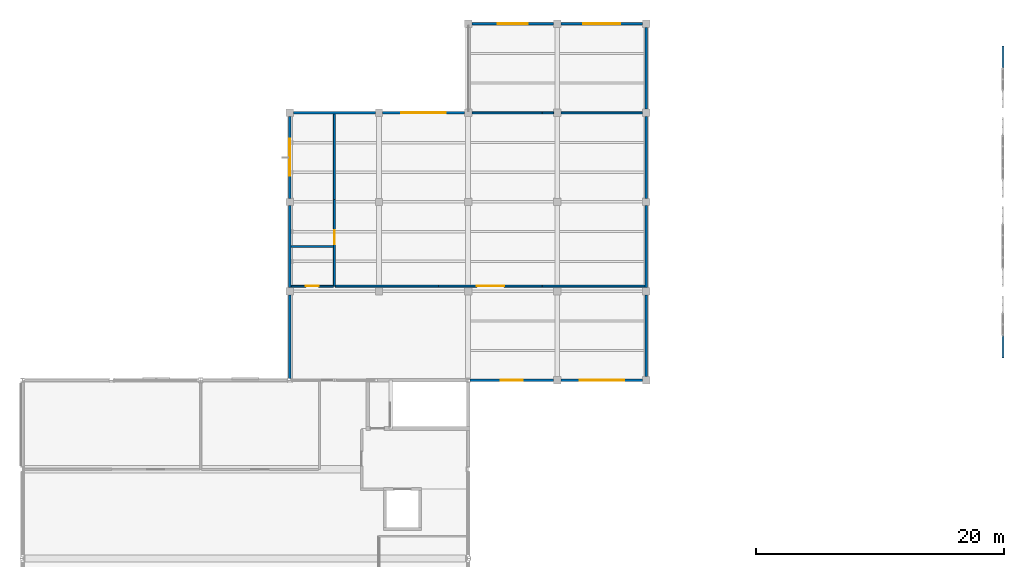
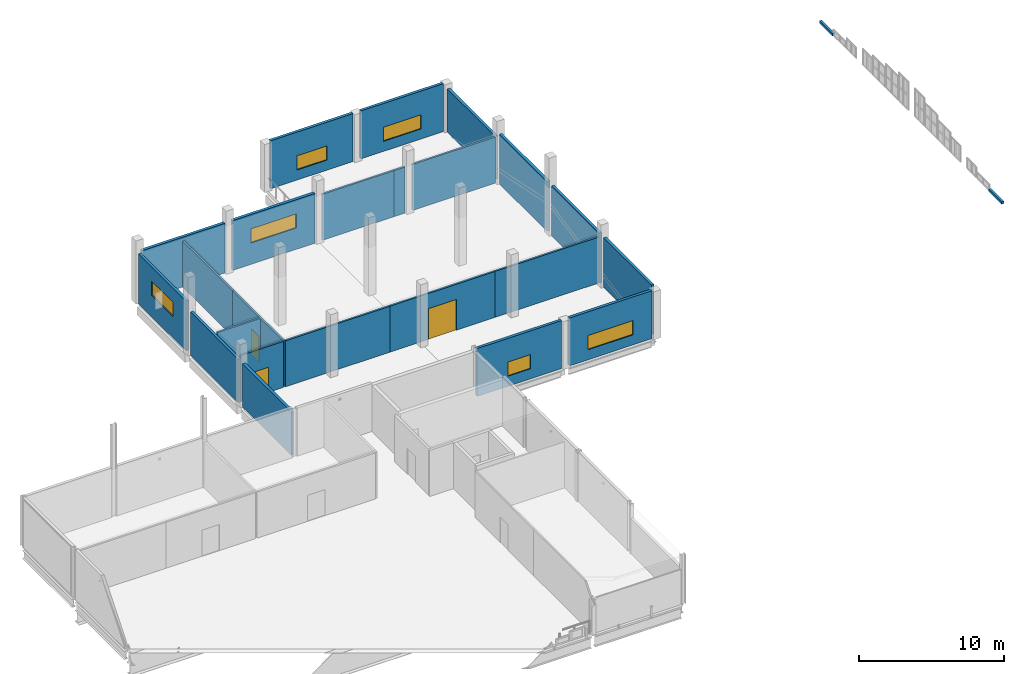
# One storey, part 19 of 20: 25 walls, 6 windows, 3 doors, 9 openings.
"""IFC4 building model written with IfcOpenShell, lengths in metres."""

from ifc_helpers import new_model, si_unit, direction, frame, frame_2d, origin, place, context, subcontext, project, spatial, rectangle, extrude, material, layer, layer_set, type_object, element, fill, save


model = new_model("IFC4")

# Units and contexts
model_context = context("Model", 3, precision=1e-05, world=origin(), true_north=direction((0.0, 1.0)))
body_context = subcontext(model_context, "Body", "Model", "MODEL_VIEW")
ifc_project = project(units=[si_unit("LENGTHUNIT", "METRE"), si_unit("AREAUNIT", "SQUARE_METRE"), si_unit("VOLUMEUNIT", "CUBIC_METRE"), si_unit("PLANEANGLEUNIT", "RADIAN"), si_unit("MASSUNIT", "GRAM", prefix="KILO"), si_unit("THERMODYNAMICTEMPERATUREUNIT", "KELVIN"), si_unit("POWERUNIT", "WATT")], contexts=[model_context])

# Site, building, storey
site_placement = place(None, origin())
site = spatial("IfcSite", under=ifc_project, at=site_placement, CompositionType="ELEMENT")
building_placement = place(site_placement, origin())
building = spatial("IfcBuilding", under=site, at=building_placement, Name="Kaldorven Railside Theatre", CompositionType="ELEMENT")
storey_placement = place(building_placement, frame((0.0, 0.0, 23.10009765625)))
storey = spatial("IfcBuildingStorey", under=building, at=storey_placement, Name="L05", CompositionType="ELEMENT", Elevation=23.10009765625)

# Walls
ifc_material_1 = material(Name="Precast concrete C40/50", Category="concrete")
ifc_layer_1 = layer(ifc_material_1, 0.219970703125, Name="Precast concrete C40/50")
ifc_layer_set_1 = layer_set([ifc_layer_1], Name="Precast concrete C40/50")
wall_type_1 = type_object("IfcWallType", Name="WL-EW07", PredefinedType="SOLIDWALL", material=ifc_layer_set_1)
wall_1_placement = place(storey_placement, frame((108.800048828125, 112.949951171875, 0.0), z_axis=(0.0, 0.0, 1.0), x_axis=(0.0, 1.0, 0.0)))
element("IfcWall", 1, at=wall_1_placement, inside=storey, type_object=wall_type_1, Name="V6L L05 Exterior Wall EW-0366", PredefinedType="SOLIDWALL", context=body_context, shape_type="SweptSolid", body=[
    extrude(rectangle(XDim=6.75, YDim=0.219970703125, at=frame_2d((3.375, 0.0))), origin(), (0.0, 0.0, 1.0), 3.65625),
])
wall_2_placement = place(storey_placement, frame((108.800048828125, 120.300048828125, 0.0), z_axis=(0.0, 0.0, 1.0), x_axis=(0.0, 1.0, 0.0)))
element("IfcWall", 2, at=wall_2_placement, inside=storey, type_object=wall_type_1, Name="V6L L05 Exterior Wall EW-0367", PredefinedType="SOLIDWALL", context=body_context, shape_type="SweptSolid", body=[
    extrude(rectangle(XDim=6.599853515625, YDim=0.219970703125, at=frame_2d((3.2998046875, 0.0))), origin(), (0.0, 0.0, 1.0), 3.65625),
])

# Wall, opening, window
wall_3_placement = place(storey_placement, frame((108.800048828125, 127.5, 0.0), z_axis=(0.0, 0.0, 1.0), x_axis=(0.0, 1.0, 0.0)))
wall_3 = element("IfcWall", 3, at=wall_3_placement, inside=storey, type_object=wall_type_1, Name="V6L L05 Exterior Wall EW-0368", PredefinedType="SOLIDWALL", context=body_context, shape_type="SweptSolid", body=[
    extrude(rectangle(XDim=6.60009765625, YDim=0.219970703125, at=frame_2d((3.300048828125, 0.0))), origin(), (0.0, 0.0, 1.0), 4.199951171875),
])
opening_1_placement = place(wall_3_placement, frame((1.800048828125, 0.0, 1.800048828125)))
opening_1 = element("IfcOpeningElement", 4, at=opening_1_placement, cuts=wall_3, Name="Opening WN-066", PredefinedType="OPENING", context=body_context, shape_type="SweptSolid", body=[
    extrude(rectangle(XDim=3.0, YDim=1.199951171875, at=frame_2d((1.5, 0.60009765625))), frame((0.0, 0.1201171875, 0.0), z_axis=(0.0, -1.0, 0.0), x_axis=(1.0, 0.0, 0.0)), (0.0, 0.0, 1.0), 0.239990234375),
])
ifc_material_2 = material(Name="Low-E laminated solar-control glass", Category="glass")
window_type_1 = type_object("IfcWindowType", Name="WN-EW16", PartitioningType="SINGLE_PANEL", PredefinedType="WINDOW", material=ifc_material_2)
window_1_placement = place(opening_1_placement, origin())
window_1 = element("IfcWindow", 5, at=window_1_placement, inside=storey, type_object=window_type_1, Name="Shaded Acoustic Exterior Window WN-066", OverallHeight=1.199951171875, OverallWidth=3.0, PartitioningType="SINGLE_PANEL", PredefinedType="WINDOW", context=body_context, shape_type="SweptSolid", body=[
    extrude(rectangle(XDim=3.0, YDim=1.199951171875, at=frame_2d((1.5, 0.60009765625))), frame((0.0, 0.030029296875, 0.0), z_axis=(0.0, -1.0, 0.0), x_axis=(1.0, 0.0, 0.0)), (0.0, 0.0, 1.0), 0.06005859375),
])
fill(opening_1, window_1)

# Wall
wall_4_placement = place(storey_placement, frame((109.10009765625, 134.39990234375, 0.0), z_axis=(0.0, 0.0, 1.0), x_axis=(1.0, 0.0, 0.0)))
element("IfcWall", 6, at=wall_4_placement, inside=storey, type_object=wall_type_1, Name="V6L L05 Exterior Wall EW-0369", PredefinedType="SOLIDWALL", context=body_context, shape_type="SweptSolid", body=[
    extrude(rectangle(XDim=6.599853515625, YDim=0.219970703125, at=frame_2d((3.2998046875, 0.0))), origin(), (0.0, 0.0, 1.0), 4.199951171875),
])

# Wall, opening, window
wall_5_placement = place(storey_placement, frame((116.300048828125, 134.39990234375, 0.0), z_axis=(0.0, 0.0, 1.0), x_axis=(1.0, 0.0, 0.0)))
wall_5 = element("IfcWall", 7, at=wall_5_placement, inside=storey, type_object=wall_type_1, Name="V6L L05 Exterior Wall EW-0370", PredefinedType="SOLIDWALL", context=body_context, shape_type="SweptSolid", body=[
    extrude(rectangle(XDim=6.599853515625, YDim=0.219970703125, at=frame_2d((3.2998046875, 0.0))), origin(), (0.0, 0.0, 1.0), 4.199951171875),
])
opening_2_placement = place(wall_5_placement, frame((1.5, 0.0, 1.800048828125)))
opening_2 = element("IfcOpeningElement", 8, at=opening_2_placement, cuts=wall_5, Name="Opening WN-067", PredefinedType="OPENING", context=body_context, shape_type="SweptSolid", body=[
    extrude(rectangle(XDim=3.60009765625, YDim=1.199951171875, at=frame_2d((1.800048828125, 0.60009765625))), frame((0.0, 0.1201171875, 0.0), z_axis=(0.0, -1.0, 0.0), x_axis=(1.0, 0.0, 0.0)), (0.0, 0.0, 1.0), 0.239990234375),
])
window_type_2 = type_object("IfcWindowType", Name="WN-EW17", PartitioningType="SINGLE_PANEL", PredefinedType="WINDOW", material=ifc_material_2)
window_2_placement = place(opening_2_placement, origin())
window_2 = element("IfcWindow", 9, at=window_2_placement, inside=storey, type_object=window_type_2, Name="Shaded Acoustic Exterior Window WN-067", OverallHeight=1.199951171875, OverallWidth=3.60009765625, PartitioningType="SINGLE_PANEL", PredefinedType="WINDOW", context=body_context, shape_type="SweptSolid", body=[
    extrude(rectangle(XDim=3.60009765625, YDim=1.199951171875, at=frame_2d((1.800048828125, 0.60009765625))), frame((0.0, 0.030029296875, 0.0), z_axis=(0.0, -1.0, 0.0), x_axis=(1.0, 0.0, 0.0)), (0.0, 0.0, 1.0), 0.06005859375),
])
fill(opening_2, window_2)

wall_6_placement = place(storey_placement, frame((137.300048828125, 112.800048828125, 0.0), z_axis=(0.0, 0.0, 1.0), x_axis=(-1.0, 0.0, 0.0)))
wall_6 = element("IfcWall", 10, at=wall_6_placement, inside=storey, type_object=wall_type_1, Name="V6 L05 Exterior Wall EW-0462", PredefinedType="SOLIDWALL", context=body_context, shape_type="SweptSolid", body=[
    extrude(rectangle(XDim=6.60009765625, YDim=0.219970703125, at=frame_2d((3.300048828125, 0.0))), origin(), (0.0, 0.0, 1.0), 4.04638671875),
])
opening_3_placement = place(wall_6_placement, frame((1.5, 0.0, 0.85009765625)))
opening_3 = element("IfcOpeningElement", 11, at=opening_3_placement, cuts=wall_6, Name="Opening WN-128", PredefinedType="OPENING", context=body_context, shape_type="SweptSolid", body=[
    extrude(rectangle(XDim=3.60009765625, YDim=1.199951171875, at=frame_2d((1.800048828125, 0.60009765625))), frame((0.0, 0.1201171875, 0.0), z_axis=(0.0, -1.0, 0.0), x_axis=(1.0, 0.0, 0.0)), (0.0, 0.0, 1.0), 0.239990234375),
])
window_3_placement = place(opening_3_placement, origin())
window_3 = element("IfcWindow", 12, at=window_3_placement, inside=storey, type_object=window_type_2, Name="Shaded Acoustic Exterior Window WN-128", OverallHeight=1.199951171875, OverallWidth=3.60009765625, PartitioningType="SINGLE_PANEL", PredefinedType="WINDOW", context=body_context, shape_type="SweptSolid", body=[
    extrude(rectangle(XDim=3.60009765625, YDim=1.199951171875, at=frame_2d((1.800048828125, 0.60009765625))), frame((0.0, 0.030029296875, 0.0), z_axis=(0.0, -1.0, 0.0), x_axis=(1.0, 0.0, 0.0)), (0.0, 0.0, 1.0), 0.06005859375),
])
fill(opening_3, window_3)

wall_7_placement = place(storey_placement, frame((130.10009765625, 112.800048828125, 0.0), z_axis=(0.0, 0.0, 1.0), x_axis=(-1.0, 0.0, 0.0)))
wall_7 = element("IfcWall", 13, at=wall_7_placement, inside=storey, type_object=wall_type_1, Name="V6 L05 Exterior Wall EW-0463", PredefinedType="SOLIDWALL", context=body_context, shape_type="SweptSolid", body=[
    extrude(rectangle(XDim=6.74560546875, YDim=0.219970703125, at=frame_2d((3.372802734375, 0.0))), origin(), (0.0, 0.0, 1.0), 4.04638671875),
])
opening_4_placement = place(wall_7_placement, frame((2.47265625, 0.0, 0.85009765625)))
opening_4 = element("IfcOpeningElement", 14, at=opening_4_placement, cuts=wall_7, Name="Opening WN-129", PredefinedType="OPENING", context=body_context, shape_type="SweptSolid", body=[
    extrude(rectangle(XDim=1.800048828125, YDim=1.199951171875, at=frame_2d((0.89990234375, 0.60009765625))), frame((0.0, 0.1201171875, 0.0), z_axis=(0.0, -1.0, 0.0), x_axis=(1.0, 0.0, 0.0)), (0.0, 0.0, 1.0), 0.239990234375),
])
window_type_3 = type_object("IfcWindowType", Name="WN-EW14", PartitioningType="SINGLE_PANEL", PredefinedType="WINDOW", material=ifc_material_2)
window_4_placement = place(opening_4_placement, origin())
window_4 = element("IfcWindow", 15, at=window_4_placement, inside=storey, type_object=window_type_3, Name="Shaded Acoustic Exterior Window WN-129", OverallHeight=1.199951171875, OverallWidth=1.800048828125, PartitioningType="SINGLE_PANEL", PredefinedType="WINDOW", context=body_context, shape_type="SweptSolid", body=[
    extrude(rectangle(XDim=1.800048828125, YDim=1.199951171875, at=frame_2d((0.89990234375, 0.60009765625))), frame((0.0, 0.030029296875, 0.0), z_axis=(0.0, -1.0, 0.0), x_axis=(1.0, 0.0, 0.0)), (0.0, 0.0, 1.0), 0.06005859375),
])
fill(opening_4, window_4)

wall_8_placement = place(storey_placement, frame((123.5, 141.60009765625, 0.0), z_axis=(0.0, 0.0, 1.0), x_axis=(1.0, 0.0, 0.0)))
wall_8 = element("IfcWall", 16, at=wall_8_placement, inside=storey, type_object=wall_type_1, Name="V6 L05 Exterior Wall EW-0464", PredefinedType="SOLIDWALL", context=body_context, shape_type="SweptSolid", body=[
    extrude(rectangle(XDim=6.60009765625, YDim=0.219970703125, at=frame_2d((3.300048828125, 0.0))), origin(), (0.0, 0.0, 1.0), 4.04638671875),
])
opening_5_placement = place(wall_8_placement, frame((2.10009765625, 0.0, 0.85009765625)))
opening_5 = element("IfcOpeningElement", 17, at=opening_5_placement, cuts=wall_8, Name="Opening WN-130", PredefinedType="OPENING", context=body_context, shape_type="SweptSolid", body=[
    extrude(rectangle(XDim=2.39990234375, YDim=1.199951171875, at=frame_2d((1.199951171875, 0.60009765625))), frame((0.0, 0.1201171875, 0.0), z_axis=(0.0, -1.0, 0.0), x_axis=(1.0, 0.0, 0.0)), (0.0, 0.0, 1.0), 0.239990234375),
])
window_type_4 = type_object("IfcWindowType", Name="WN-EW15", PartitioningType="SINGLE_PANEL", PredefinedType="WINDOW", material=ifc_material_2)
window_5_placement = place(opening_5_placement, origin())
window_5 = element("IfcWindow", 18, at=window_5_placement, inside=storey, type_object=window_type_4, Name="Shaded Acoustic Exterior Window WN-130", OverallHeight=1.199951171875, OverallWidth=2.39990234375, PartitioningType="SINGLE_PANEL", PredefinedType="WINDOW", context=body_context, shape_type="SweptSolid", body=[
    extrude(rectangle(XDim=2.39990234375, YDim=1.199951171875, at=frame_2d((1.199951171875, 0.60009765625))), frame((0.0, 0.030029296875, 0.0), z_axis=(0.0, -1.0, 0.0), x_axis=(1.0, 0.0, 0.0)), (0.0, 0.0, 1.0), 0.06005859375),
])
fill(opening_5, window_5)

wall_9_placement = place(storey_placement, frame((130.699951171875, 141.60009765625, 0.0), z_axis=(0.0, 0.0, 1.0), x_axis=(1.0, 0.0, 0.0)))
wall_9 = element("IfcWall", 19, at=wall_9_placement, inside=storey, type_object=wall_type_1, Name="V6 L05 Exterior Wall EW-0465", PredefinedType="SOLIDWALL", context=body_context, shape_type="SweptSolid", body=[
    extrude(rectangle(XDim=6.60009765625, YDim=0.219970703125, at=frame_2d((3.300048828125, 0.0))), origin(), (0.0, 0.0, 1.0), 4.04638671875),
])
opening_6_placement = place(wall_9_placement, frame((1.800048828125, 0.0, 0.85009765625)))
opening_6 = element("IfcOpeningElement", 20, at=opening_6_placement, cuts=wall_9, Name="Opening WN-131", PredefinedType="OPENING", context=body_context, shape_type="SweptSolid", body=[
    extrude(rectangle(XDim=3.0, YDim=1.199951171875, at=frame_2d((1.5, 0.60009765625))), frame((0.0, 0.1201171875, 0.0), z_axis=(0.0, -1.0, 0.0), x_axis=(1.0, 0.0, 0.0)), (0.0, 0.0, 1.0), 0.239990234375),
])
window_6_placement = place(opening_6_placement, origin())
window_6 = element("IfcWindow", 21, at=window_6_placement, inside=storey, type_object=window_type_1, Name="Shaded Acoustic Exterior Window WN-131", OverallHeight=1.199951171875, OverallWidth=3.0, PartitioningType="SINGLE_PANEL", PredefinedType="WINDOW", context=body_context, shape_type="SweptSolid", body=[
    extrude(rectangle(XDim=3.0, YDim=1.199951171875, at=frame_2d((1.5, 0.60009765625))), frame((0.0, 0.030029296875, 0.0), z_axis=(0.0, -1.0, 0.0), x_axis=(1.0, 0.0, 0.0)), (0.0, 0.0, 1.0), 0.06005859375),
])
fill(opening_6, window_6)

# Walls
wall_10_placement = place(storey_placement, frame((137.60009765625, 141.300048828125, 0.0), z_axis=(0.0, 0.0, 1.0), x_axis=(0.0, -1.0, 0.0)))
element("IfcWall", 22, at=wall_10_placement, inside=storey, type_object=wall_type_1, Name="V6 L05 Exterior Wall EW-0466", PredefinedType="SOLIDWALL", context=body_context, shape_type="SweptSolid", body=[
    extrude(rectangle(XDim=6.60009765625, YDim=0.219970703125, at=frame_2d((3.300048828125, 0.0))), origin(), (0.0, 0.0, 1.0), 3.65625),
])
wall_11_placement = place(storey_placement, frame((137.60009765625, 134.10009765625, 0.0), z_axis=(0.0, 0.0, 1.0), x_axis=(0.0, -1.0, 0.0)))
element("IfcWall", 23, at=wall_11_placement, inside=storey, type_object=wall_type_1, Name="V6 L05 Exterior Wall EW-0467", PredefinedType="SOLIDWALL", context=body_context, shape_type="SweptSolid", body=[
    extrude(rectangle(XDim=6.60009765625, YDim=0.219970703125, at=frame_2d((3.300048828125, 0.0))), origin(), (0.0, 0.0, 1.0), 4.199951171875),
])
for number, where, z_axis, x_axis, name in (
    (24, (137.60009765625, 126.89990234375, 0.0), (0.0, 0.0, 1.0), (0.0, -1.0, 0.0), "V6 L05 Exterior Wall EW-0468"),
    (25, (137.60009765625, 119.699951171875, 0.0), (0.0, 0.0, 1.0), (0.0, -1.0, 0.0), "V6 L05 Exterior Wall EW-0469"),
):
    element("IfcWall", number, at=place(storey_placement, frame(where, z_axis=z_axis, x_axis=x_axis)), inside=storey, type_object=wall_type_1, Name=name, PredefinedType="SOLIDWALL", context=body_context, shape_type="SweptSolid", body=[
        extrude(rectangle(XDim=6.599853515625, YDim=0.219970703125, at=frame_2d((3.2998046875, 0.0))), origin(), (0.0, 0.0, 1.0), 4.199951171875),
    ])
ifc_material_3 = material(Name="Architectural concrete C40/50", Category="concrete")
ifc_layer_2 = layer(ifc_material_3, 0.179931640625, Name="Architectural concrete C40/50")
ifc_layer_set_2 = layer_set([ifc_layer_2], Name="Architectural concrete C40/50")
wall_type_2 = type_object("IfcWallType", Name="WL-EW08", PredefinedType="PARAPET", material=ifc_layer_set_2)
wall_12_placement = place(storey_placement, frame((166.39990234375, 114.60009765625, 0.02001953125), z_axis=(0.0, 0.0, 1.0), x_axis=(0.0, 1.0, 0.0)))
element("IfcWall", 26, at=wall_12_placement, inside=storey, type_object=wall_type_2, Name="Production East Gable Clerestory Eave Spandrel 171", PredefinedType="PARAPET", context=body_context, shape_type="SweptSolid", body=[
    extrude(rectangle(XDim=1.7998046875, YDim=0.179931640625, at=frame_2d((0.89990234375, 0.0))), origin(), (0.0, 0.0, 1.0), 0.199951171875),
])
wall_13_placement = place(storey_placement, frame((166.39990234375, 138.0, 0.02001953125), z_axis=(0.0, 0.0, 1.0), x_axis=(0.0, 1.0, 0.0)))
element("IfcWall", 27, at=wall_13_placement, inside=storey, type_object=wall_type_2, Name="Production East Gable Clerestory Eave Spandrel 184", PredefinedType="PARAPET", context=body_context, shape_type="SweptSolid", body=[
    extrude(rectangle(XDim=1.800048828125, YDim=0.179931640625, at=frame_2d((0.89990234375, 0.0))), origin(), (0.0, 0.0, 1.0), 0.199951171875),
])
ifc_material_4 = material(Name="Acoustic gypsum board")
ifc_layer_3 = layer(ifc_material_4, 0.14990234375, Name="Acoustic gypsum board")
ifc_layer_set_3 = layer_set([ifc_layer_3], Name="Acoustic gypsum board")
wall_type_3 = type_object("IfcWallType", Name="WL-IW-AC1", PredefinedType="PARTITIONING", material=ifc_layer_set_3)
wall_14_placement = place(storey_placement, frame((137.300048828125, 134.39990234375, 0.0), z_axis=(0.0, 0.0, 1.0), x_axis=(-1.0, 0.0, 0.0)))
element("IfcWall", 28, at=wall_14_placement, inside=storey, type_object=wall_type_3, Name="L05 Interior Wall IW-0701", PredefinedType="PARTITIONING", context=body_context, shape_type="SweptSolid", body=[
    extrude(rectangle(XDim=6.60009765625, YDim=0.14990234375, at=frame_2d((3.300048828125, 0.0))), origin(), (0.0, 0.0, 1.0), 3.8798828125),
])
wall_15_placement = place(storey_placement, frame((130.10009765625, 134.39990234375, 0.0), z_axis=(0.0, 0.0, 1.0), x_axis=(-1.0, 0.0, 0.0)))
element("IfcWall", 29, at=wall_15_placement, inside=storey, type_object=wall_type_3, Name="L05 Interior Wall IW-0702", PredefinedType="PARTITIONING", context=body_context, shape_type="SweptSolid", body=[
    extrude(rectangle(XDim=0.900146484375, YDim=0.14990234375, at=frame_2d((0.4501953125, 0.0))), origin(), (0.0, 0.0, 1.0), 3.8798828125),
])
wall_16_placement = place(storey_placement, frame((129.199951171875, 134.39990234375, 0.0), z_axis=(0.0, 0.0, 1.0), x_axis=(-1.0, 0.0, 0.0)))
element("IfcWall", 30, at=wall_16_placement, inside=storey, type_object=wall_type_3, Name="L05 Interior Wall IW-0703", PredefinedType="PARTITIONING", context=body_context, shape_type="SweptSolid", body=[
    extrude(rectangle(XDim=5.699951171875, YDim=0.14990234375, at=frame_2d((2.85009765625, 0.0))), origin(), (0.0, 0.0, 1.0), 3.8798828125),
])
wall_17_placement = place(storey_placement, frame((112.39990234375, 134.2880859375, 0.0), z_axis=(0.0, 0.0, 1.0), x_axis=(0.0, -1.0, 0.0)))
element("IfcWall", 31, at=wall_17_placement, inside=storey, type_object=wall_type_3, Name="L05 Interior Wall IW-0704", PredefinedType="PARTITIONING", context=body_context, shape_type="SweptSolid", body=[
    extrude(rectangle(XDim=6.88818359375, YDim=0.14990234375, at=frame_2d((3.444091796875, 0.0))), origin(), (0.0, 0.0, 1.0), 3.8798828125),
])

# Wall, opening, door
wall_18_placement = place(storey_placement, frame((112.39990234375, 127.39990234375, 0.0), z_axis=(0.0, 0.0, 1.0), x_axis=(0.0, -1.0, 0.0)))
wall_18 = element("IfcWall", 32, at=wall_18_placement, inside=storey, type_object=wall_type_3, Name="L05 Interior Wall IW-0705", PredefinedType="PARTITIONING", context=body_context, shape_type="SweptSolid", body=[
    extrude(rectangle(XDim=7.0, YDim=0.14990234375, at=frame_2d((3.5, 0.0))), origin(), (0.0, 0.0, 1.0), 3.8798828125),
])
opening_7_placement = place(wall_18_placement, frame((2.5, 0.0, 0.0)))
opening_7 = element("IfcOpeningElement", 33, at=opening_7_placement, cuts=wall_18, Name="Opening ID-0163", PredefinedType="OPENING", context=body_context, shape_type="SweptSolid", body=[
    extrude(rectangle(XDim=1.10009765625, YDim=2.14990234375, at=frame_2d((0.550048828125, 1.074951171875))), frame((0.0, 0.0849609375, 0.0), z_axis=(0.0, -1.0, 0.0), x_axis=(1.0, 0.0, 0.0)), (0.0, 0.0, 1.0), 0.169921875),
])
ifc_material_5 = material(Name="Acoustic hardwood timber", Category="wood")
door_type_1 = type_object("IfcDoorType", Name="DR-ID-FD60", OperationType="NOTDEFINED", PredefinedType="DOOR", material=ifc_material_5)
door_1_placement = place(opening_7_placement, origin())
door_1 = element("IfcDoor", 34, at=door_1_placement, inside=storey, type_object=door_type_1, Name="Gridiron Cleaner's Store Entry Door", OperationType="SINGLE_SWING_LEFT", OverallHeight=2.14990234375, OverallWidth=1.10009765625, PredefinedType="DOOR", context=body_context, shape_type="SweptSolid", body=[
    extrude(rectangle(XDim=1.10009765625, YDim=2.14990234375, at=frame_2d((0.550048828125, 1.074951171875))), frame((0.0, 0.02490234375, 0.0), z_axis=(0.0, -1.0, 0.0), x_axis=(1.0, 0.0, 0.0)), (0.0, 0.0, 1.0), 0.050048828125),
])
fill(opening_7, door_1)

# Wall
wall_19_placement = place(storey_placement, frame((112.47705078125, 120.39990234375, 0.0), z_axis=(0.0, 0.0, 1.0), x_axis=(1.0, 0.0, 0.0)))
element("IfcWall", 35, at=wall_19_placement, inside=storey, type_object=wall_type_3, Name="L05 Interior Wall IW-0706", PredefinedType="PARTITIONING", context=body_context, shape_type="SweptSolid", body=[
    extrude(rectangle(XDim=8.322998046875, YDim=0.14990234375, at=frame_2d((4.16162109375, 0.0))), origin(), (0.0, 0.0, 1.0), 3.8798828125),
])

# Wall, opening, door
wall_20_placement = place(storey_placement, frame((120.800048828125, 120.39990234375, 0.0), z_axis=(0.0, 0.0, 1.0), x_axis=(1.0, 0.0, 0.0)))
wall_20 = element("IfcWall", 36, at=wall_20_placement, inside=storey, type_object=wall_type_3, Name="L05 Interior Wall IW-0707", PredefinedType="PARTITIONING", context=body_context, shape_type="SweptSolid", body=[
    extrude(rectangle(XDim=8.39990234375, YDim=0.14990234375, at=frame_2d((4.199951171875, 0.0))), origin(), (0.0, 0.0, 1.0), 3.8798828125),
])
opening_8_placement = place(wall_20_placement, frame((3.10009765625, 0.0, 0.0)))
opening_8 = element("IfcOpeningElement", 37, at=opening_8_placement, cuts=wall_20, Name="Opening ID-0161", PredefinedType="OPENING", context=body_context, shape_type="SweptSolid", body=[
    extrude(rectangle(XDim=2.199951171875, YDim=2.60009765625, at=frame_2d((1.10009765625, 1.300048828125))), frame((0.0, 0.0849609375, 0.0), z_axis=(0.0, -1.0, 0.0), x_axis=(1.0, 0.0, 0.0)), (0.0, 0.0, 1.0), 0.169921875),
])
ifc_material_6 = material(Name="Powder-coated hollow-metal steel", Category="steel")
door_type_2 = type_object("IfcDoorType", Name="DR-ID-WKS1", OperationType="NOTDEFINED", PredefinedType="DOOR", material=ifc_material_6)
door_2_placement = place(opening_8_placement, origin())
door_2 = element("IfcDoor", 38, at=door_2_placement, inside=storey, type_object=door_type_2, Name="Upper Rigging Workshop Entry Door", OperationType="DOUBLE_DOOR_SINGLE_SWING", OverallHeight=2.60009765625, OverallWidth=2.199951171875, PredefinedType="DOOR", context=body_context, shape_type="SweptSolid", body=[
    extrude(rectangle(XDim=2.199951171875, YDim=2.60009765625, at=frame_2d((1.10009765625, 1.300048828125))), frame((0.0, 0.02490234375, 0.0), z_axis=(0.0, -1.0, 0.0), x_axis=(1.0, 0.0, 0.0)), (0.0, 0.0, 1.0), 0.050048828125),
])
fill(opening_8, door_2)

# Walls
wall_21_placement = place(storey_placement, frame((129.199951171875, 120.39990234375, 0.0), z_axis=(0.0, 0.0, 1.0), x_axis=(1.0, 0.0, 0.0)))
element("IfcWall", 39, at=wall_21_placement, inside=storey, type_object=wall_type_3, Name="L05 Interior Wall IW-0708", PredefinedType="PARTITIONING", context=body_context, shape_type="SweptSolid", body=[
    extrude(rectangle(XDim=8.2880859375, YDim=0.14990234375, at=frame_2d((4.14404296875, 0.0))), origin(), (0.0, 0.0, 1.0), 3.8798828125),
])
ifc_layer_4 = layer(ifc_material_4, 0.139892578125, Name="Acoustic gypsum board")
ifc_layer_set_4 = layer_set([ifc_layer_4], Name="Acoustic gypsum board")
wall_type_4 = type_object("IfcWallType", Name="WL-IW-AC2", PredefinedType="PARTITIONING", material=ifc_layer_set_4)
wall_22_placement = place(storey_placement, frame((112.322998046875, 123.60009765625, 0.0), z_axis=(0.0, 0.0, 1.0), x_axis=(-1.0, 0.0, 0.0)))
element("IfcWall", 40, at=wall_22_placement, inside=storey, type_object=wall_type_4, Name="L05 Interior Wall IW-0709", PredefinedType="PARTITIONING", context=body_context, shape_type="SweptSolid", body=[
    extrude(rectangle(XDim=3.410888671875, YDim=0.139892578125, at=frame_2d((1.70556640625, 0.0))), origin(), (0.0, 0.0, 1.0), 3.8798828125),
])

# Wall, opening, door
wall_23_placement = place(storey_placement, frame((108.912109375, 120.39990234375, 0.0), z_axis=(0.0, 0.0, 1.0), x_axis=(1.0, 0.0, 0.0)))
wall_23 = element("IfcWall", 41, at=wall_23_placement, inside=storey, type_object=wall_type_4, Name="L05 Interior Wall IW-0710", PredefinedType="PARTITIONING", context=body_context, shape_type="SweptSolid", body=[
    extrude(rectangle(XDim=3.410888671875, YDim=0.139892578125, at=frame_2d((1.70556640625, 0.0))), origin(), (0.0, 0.0, 1.0), 3.8798828125),
])
opening_9_placement = place(wall_23_placement, frame((1.180419921875, 0.0, 0.0)))
opening_9 = element("IfcOpeningElement", 42, at=opening_9_placement, cuts=wall_23, Name="Opening ID-0162", PredefinedType="OPENING", context=body_context, shape_type="SweptSolid", body=[
    extrude(rectangle(XDim=1.050048828125, YDim=2.1201171875, at=frame_2d((0.52490234375, 1.06005859375))), frame((0.0, 0.080078125, 0.0), z_axis=(0.0, -1.0, 0.0), x_axis=(1.0, 0.0, 0.0)), (0.0, 0.0, 1.0), 0.159912109375),
])
door_type_3 = type_object("IfcDoorType", Name="DR-ID-AWC1", OperationType="NOTDEFINED", PredefinedType="DOOR", material=ifc_material_5)
door_3_placement = place(opening_9_placement, origin())
door_3 = element("IfcDoor", 43, at=door_3_placement, inside=storey, type_object=door_type_3, Name="Gridiron Staff Accessible WC Entry Door", OperationType="SINGLE_SWING_RIGHT", OverallHeight=2.1201171875, OverallWidth=1.050048828125, PredefinedType="DOOR", context=body_context, shape_type="SweptSolid", body=[
    extrude(rectangle(XDim=1.050048828125, YDim=2.1201171875, at=frame_2d((0.52490234375, 1.06005859375))), frame((0.0, 0.02490234375, 0.0), z_axis=(0.0, -1.0, 0.0), x_axis=(1.0, 0.0, 0.0)), (0.0, 0.0, 1.0), 0.050048828125),
])
fill(opening_9, door_3)

save(model, "model.ifc")
